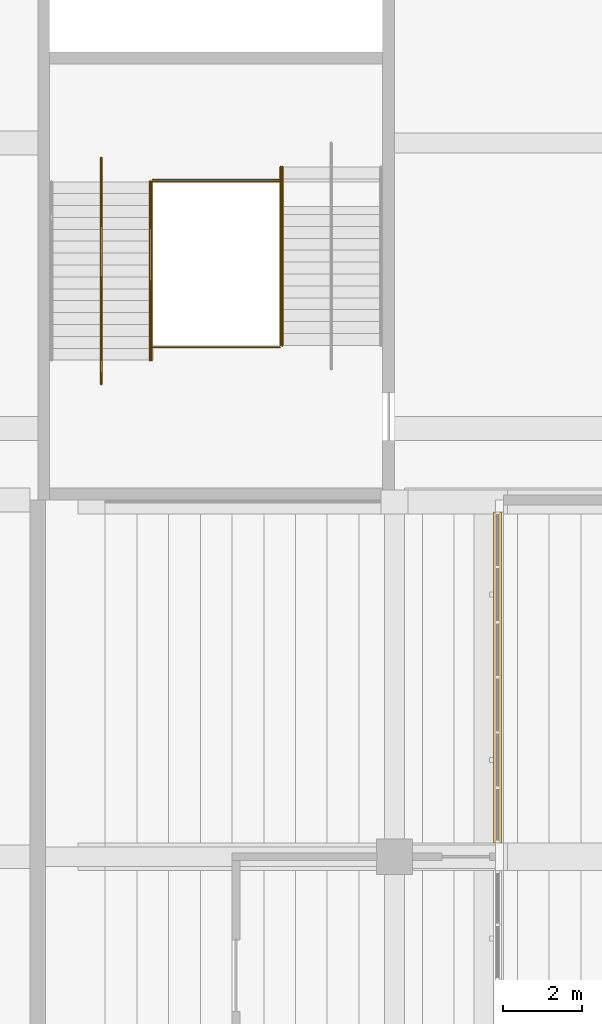
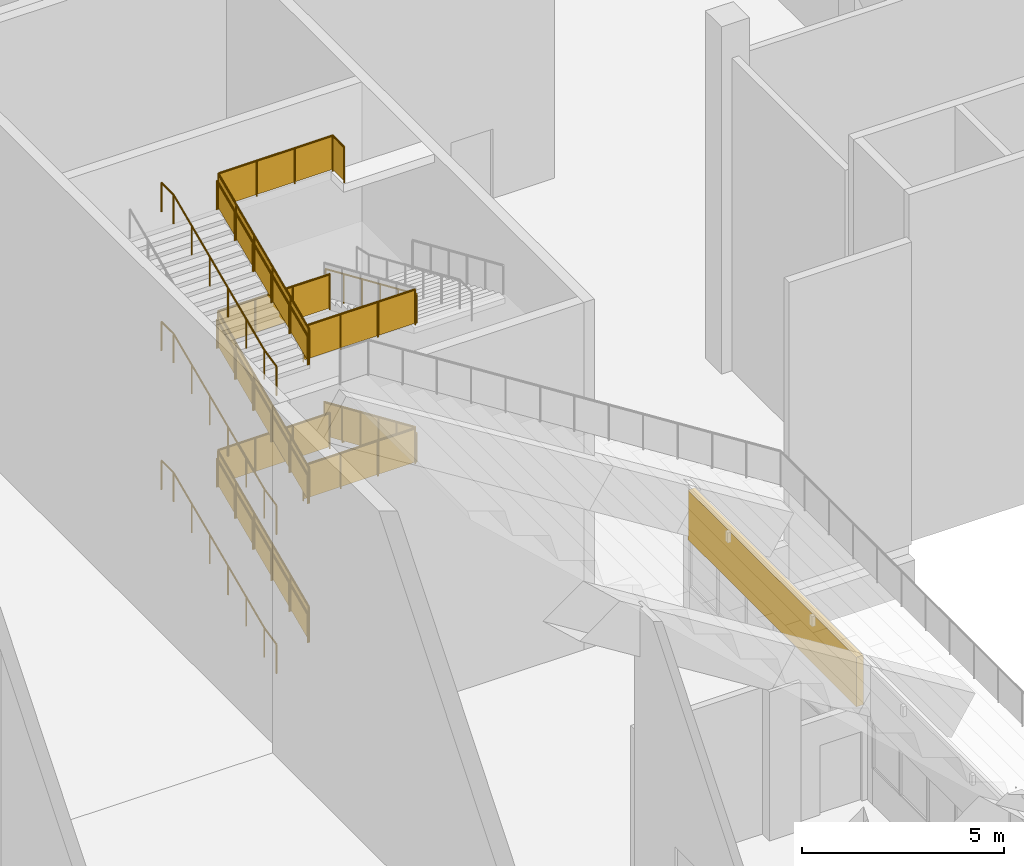
# One storey, part 152 of 182: 17 railings, 1 covering.
"""IFC4 building model written with IfcOpenShell, lengths in metres."""

from ifc_helpers import new_model, si_unit, direction, frame, origin, origin_2d, place, context, subcontext, project, spatial, polyline, circle, outline, extrude, material, layer, layer_set, type_object, element, save


model = new_model("IFC4")

# Units and contexts
model_context = context("Model", 3, precision=1e-05, world=origin(), true_north=direction((0.0, 1.0)))
body_context = subcontext(model_context, "Body", "Model", "MODEL_VIEW")
ifc_project = project(units=[si_unit("LENGTHUNIT", "METRE"), si_unit("AREAUNIT", "SQUARE_METRE"), si_unit("VOLUMEUNIT", "CUBIC_METRE"), si_unit("PLANEANGLEUNIT", "RADIAN"), si_unit("MASSUNIT", "GRAM", prefix="KILO")], contexts=[model_context])

# Site, building, storey
site_placement = place(None, origin())
site = spatial("IfcSite", under=ifc_project, at=site_placement, CompositionType="ELEMENT")
building_placement = place(site_placement, origin())
building = spatial("IfcBuilding", under=site, at=building_placement, Name="Silverbay Arena", CompositionType="ELEMENT")
storey_placement = place(building_placement, frame((0.0, 0.0, 11.5)))
storey = spatial("IfcBuildingStorey", under=building, at=storey_placement, Name="L02", CompositionType="ELEMENT", Elevation=11.5)

# Railings
ifc_material_1 = material(Name="Stainless steel", Category="steel")
railing_type_1 = type_object("IfcRailingType", Name="Stair guard 1100", PredefinedType="GUARDRAIL", material=ifc_material_1)
railing_1_placement = place(storey_placement, frame((74.875, 102.52587890625, 0.13134765625)))
element("IfcRailing", 1, at=railing_1_placement, inside=storey, type_object=railing_type_1, Name="Stair ST-NW2 L02 to L03 flight 1 guard left", PredefinedType="GUARDRAIL", context=body_context, shape_type="SweptSolid", body=[
    extrude(circle(Radius=0.02392578125, at=origin_2d()), frame((0.0, 0.0, 1.076171875), z_axis=(0.0, 0.916157334902, 0.40081883402), x_axis=(-1.0, 0.0, 0.0)), (0.0, 0.0, 1.0), 4.911865234375),
    extrude(outline(polyline([(-0.008056640625, 0.04638671875), (0.907958984375, 0.447265625), (0.907958984375, 1.4501953125), (-0.008056640625, 1.049560546875), (-0.008056640625, 0.04638671875)])), frame((-0.0029296875, 0.0, 0.0), z_axis=(1.0, 0.0, 0.0), x_axis=(0.0, 1.0, 0.0)), (0.0, 0.0, 1.0), 0.006103515625),
    extrude(outline(polyline([(-0.008056640625, 0.440185546875), (0.907958984375, 0.841064453125), (0.907958984375, 1.843994140625), (-0.008056640625, 1.443359375), (-0.008056640625, 0.440185546875)])), frame((-0.0029296875, 0.89990234375, 0.0), z_axis=(1.0, 0.0, 0.0), x_axis=(0.0, 1.0, 0.0)), (0.0, 0.0, 1.0), 0.006103515625),
    extrude(outline(polyline([(-0.008056640625, 0.833984375), (0.907958984375, 1.23486328125), (0.907958984375, 2.23779296875), (-0.008056640625, 1.8369140625), (-0.008056640625, 0.833984375)])), frame((-0.0029296875, 1.800048828125, 0.0), z_axis=(1.0, 0.0, 0.0), x_axis=(0.0, 1.0, 0.0)), (0.0, 0.0, 1.0), 0.006103515625),
    extrude(outline(polyline([(-0.008056640625, 1.227783203125), (0.907958984375, 1.62841796875), (0.907958984375, 2.631591796875), (-0.008056640625, 2.230712890625), (-0.008056640625, 1.227783203125)])), frame((-0.0029296875, 2.699951171875, 0.0), z_axis=(1.0, 0.0, 0.0), x_axis=(0.0, 1.0, 0.0)), (0.0, 0.0, 1.0), 0.006103515625),
    extrude(outline(polyline([(-0.008056640625, 1.62158203125), (0.907958984375, 2.022216796875), (0.907958984375, 3.025146484375), (-0.008056640625, 2.62451171875), (-0.008056640625, 1.62158203125)])), frame((-0.0029296875, 3.60009765625, 0.0), z_axis=(1.0, 0.0, 0.0), x_axis=(0.0, 1.0, 0.0)), (0.0, 0.0, 1.0), 0.006103515625),
    extrude(circle(Radius=0.02099609375, at=origin_2d()), origin(), (0.0, 0.0, 1.0), 1.052001953125),
    extrude(circle(Radius=0.02099609375, at=origin_2d()), frame((0.0, 0.89990234375, 0.393798828125)), (0.0, 0.0, 1.0), 1.052001953125),
    extrude(circle(Radius=0.02099609375, at=origin_2d()), frame((0.0, 1.800048828125, 0.78759765625)), (0.0, 0.0, 1.0), 1.052001953125),
    extrude(circle(Radius=0.02099609375, at=origin_2d()), frame((0.0, 2.699951171875, 1.18115234375)), (0.0, 0.0, 1.0), 1.052001953125),
    extrude(circle(Radius=0.02099609375, at=origin_2d()), frame((0.0, 3.60009765625, 1.574951171875)), (0.0, 0.0, 1.0), 1.052001953125),
    extrude(circle(Radius=0.02099609375, at=origin_2d()), frame((0.0, 4.5, 1.96875)), (0.0, 0.0, 1.0), 1.052001953125),
])
railing_2_placement = place(storey_placement, frame((78.125, 107.39990234375, 2.231201171875)))
element("IfcRailing", 2, at=railing_2_placement, inside=storey, type_object=railing_type_1, Name="Stair ST-NW2 L02 to L03 flight 2 guard right", PredefinedType="GUARDRAIL", context=body_context, shape_type="SweptSolid", body=[
    extrude(circle(Radius=0.02392578125, at=origin_2d()), frame((0.0, 0.0, 1.076171875), z_axis=(0.0, -0.916157334902, 0.40081883402), x_axis=(1.0, 0.0, 0.0)), (0.0, 0.0, 1.0), 4.911865234375),
    extrude(outline(polyline([(-0.008056640625, 0.04638671875), (0.907958984375, 0.447265625), (0.907958984375, 1.4501953125), (-0.008056640625, 1.049560546875), (-0.008056640625, 0.04638671875)])), frame((0.0029296875, 0.0, 0.0), z_axis=(-1.0, 0.0, 0.0), x_axis=(0.0, -1.0, 0.0)), (0.0, 0.0, 1.0), 0.006103515625),
    extrude(outline(polyline([(-0.008056640625, 0.440185546875), (0.907958984375, 0.841064453125), (0.907958984375, 1.843994140625), (-0.008056640625, 1.443359375), (-0.008056640625, 0.440185546875)])), frame((0.0029296875, -0.89990234375, 0.0), z_axis=(-1.0, 0.0, 0.0), x_axis=(0.0, -1.0, 0.0)), (0.0, 0.0, 1.0), 0.006103515625),
    extrude(outline(polyline([(-0.008056640625, 0.833984375), (0.907958984375, 1.23486328125), (0.907958984375, 2.23779296875), (-0.008056640625, 1.8369140625), (-0.008056640625, 0.833984375)])), frame((0.0029296875, -1.800048828125, 0.0), z_axis=(-1.0, 0.0, 0.0), x_axis=(0.0, -1.0, 0.0)), (0.0, 0.0, 1.0), 0.006103515625),
    extrude(outline(polyline([(-0.008056640625, 1.227783203125), (0.907958984375, 1.62841796875), (0.907958984375, 2.631591796875), (-0.008056640625, 2.230712890625), (-0.008056640625, 1.227783203125)])), frame((0.0029296875, -2.699951171875, 0.0), z_axis=(-1.0, 0.0, 0.0), x_axis=(0.0, -1.0, 0.0)), (0.0, 0.0, 1.0), 0.006103515625),
    extrude(outline(polyline([(-0.008056640625, 1.62158203125), (0.907958984375, 2.022216796875), (0.907958984375, 3.025146484375), (-0.008056640625, 2.62451171875), (-0.008056640625, 1.62158203125)])), frame((0.0029296875, -3.60009765625, 0.0), z_axis=(-1.0, 0.0, 0.0), x_axis=(0.0, -1.0, 0.0)), (0.0, 0.0, 1.0), 0.006103515625),
    extrude(circle(Radius=0.02099609375, at=origin_2d()), origin(), (0.0, 0.0, 1.0), 1.052001953125),
    extrude(circle(Radius=0.02099609375, at=origin_2d()), frame((0.0, -0.89990234375, 0.393798828125)), (0.0, 0.0, 1.0), 1.052001953125),
    extrude(circle(Radius=0.02099609375, at=origin_2d()), frame((0.0, -1.800048828125, 0.78759765625)), (0.0, 0.0, 1.0), 1.052001953125),
    extrude(circle(Radius=0.02099609375, at=origin_2d()), frame((0.0, -2.699951171875, 1.18115234375)), (0.0, 0.0, 1.0), 1.052001953125),
    extrude(circle(Radius=0.02099609375, at=origin_2d()), frame((0.0, -3.60009765625, 1.574951171875)), (0.0, 0.0, 1.0), 1.052001953125),
    extrude(circle(Radius=0.02099609375, at=origin_2d()), frame((0.0, -4.5, 1.96875)), (0.0, 0.0, 1.0), 1.052001953125),
])
railing_3_placement = place(storey_placement, frame((74.875, 102.52587890625, 4.331298828125)))
element("IfcRailing", 3, at=railing_3_placement, inside=storey, type_object=railing_type_1, Name="Stair ST-NW2 L02 to L03 flight 3 guard left", PredefinedType="GUARDRAIL", context=body_context, shape_type="SweptSolid", body=[
    extrude(circle(Radius=0.02392578125, at=origin_2d()), frame((0.0, 0.0, 1.076171875), z_axis=(0.0, 0.916157334902, 0.40081883402), x_axis=(-1.0, 0.0, 0.0)), (0.0, 0.0, 1.0), 4.911865234375),
    extrude(outline(polyline([(-0.008056640625, 0.04638671875), (0.907958984375, 0.447265625), (0.907958984375, 1.4501953125), (-0.008056640625, 1.049560546875), (-0.008056640625, 0.04638671875)])), frame((-0.0029296875, 0.0, 0.0), z_axis=(1.0, 0.0, 0.0), x_axis=(0.0, 1.0, 0.0)), (0.0, 0.0, 1.0), 0.006103515625),
    extrude(outline(polyline([(-0.008056640625, 0.440185546875), (0.907958984375, 0.841064453125), (0.907958984375, 1.843994140625), (-0.008056640625, 1.443359375), (-0.008056640625, 0.440185546875)])), frame((-0.0029296875, 0.89990234375, 0.0), z_axis=(1.0, 0.0, 0.0), x_axis=(0.0, 1.0, 0.0)), (0.0, 0.0, 1.0), 0.006103515625),
    extrude(outline(polyline([(-0.008056640625, 0.833984375), (0.907958984375, 1.23486328125), (0.907958984375, 2.23779296875), (-0.008056640625, 1.8369140625), (-0.008056640625, 0.833984375)])), frame((-0.0029296875, 1.800048828125, 0.0), z_axis=(1.0, 0.0, 0.0), x_axis=(0.0, 1.0, 0.0)), (0.0, 0.0, 1.0), 0.006103515625),
    extrude(outline(polyline([(-0.008056640625, 1.227783203125), (0.907958984375, 1.62841796875), (0.907958984375, 2.631591796875), (-0.008056640625, 2.230712890625), (-0.008056640625, 1.227783203125)])), frame((-0.0029296875, 2.699951171875, 0.0), z_axis=(1.0, 0.0, 0.0), x_axis=(0.0, 1.0, 0.0)), (0.0, 0.0, 1.0), 0.006103515625),
    extrude(outline(polyline([(-0.008056640625, 1.62158203125), (0.907958984375, 2.022216796875), (0.907958984375, 3.025146484375), (-0.008056640625, 2.62451171875), (-0.008056640625, 1.62158203125)])), frame((-0.0029296875, 3.60009765625, 0.0), z_axis=(1.0, 0.0, 0.0), x_axis=(0.0, 1.0, 0.0)), (0.0, 0.0, 1.0), 0.006103515625),
    extrude(circle(Radius=0.02099609375, at=origin_2d()), origin(), (0.0, 0.0, 1.0), 1.052001953125),
    extrude(circle(Radius=0.02099609375, at=origin_2d()), frame((0.0, 0.89990234375, 0.393798828125)), (0.0, 0.0, 1.0), 1.052001953125),
    extrude(circle(Radius=0.02099609375, at=origin_2d()), frame((0.0, 1.800048828125, 0.78759765625)), (0.0, 0.0, 1.0), 1.052001953125),
    extrude(circle(Radius=0.02099609375, at=origin_2d()), frame((0.0, 2.699951171875, 1.18115234375)), (0.0, 0.0, 1.0), 1.052001953125),
    extrude(circle(Radius=0.02099609375, at=origin_2d()), frame((0.0, 3.60009765625, 1.574951171875)), (0.0, 0.0, 1.0), 1.052001953125),
    extrude(circle(Radius=0.02099609375, at=origin_2d()), frame((0.0, 4.5, 1.96875)), (0.0, 0.0, 1.0), 1.052001953125),
])
railing_4_placement = place(storey_placement, frame((74.875, 102.52587890625, 8.53125)))
element("IfcRailing", 4, at=railing_4_placement, inside=storey, type_object=railing_type_1, Name="Stair ST-NW2 L02 to L03 flight 5 guard left", PredefinedType="GUARDRAIL", context=body_context, shape_type="SweptSolid", body=[
    extrude(circle(Radius=0.02392578125, at=origin_2d()), frame((0.0, 0.0, 1.076171875), z_axis=(0.0, 0.916157334902, 0.40081883402), x_axis=(-1.0, 0.0, 0.0)), (0.0, 0.0, 1.0), 4.911865234375),
    extrude(outline(polyline([(-0.008056640625, 0.04638671875), (0.907958984375, 0.447265625), (0.907958984375, 1.4501953125), (-0.008056640625, 1.049560546875), (-0.008056640625, 0.04638671875)])), frame((-0.0029296875, 0.0, 0.0), z_axis=(1.0, 0.0, 0.0), x_axis=(0.0, 1.0, 0.0)), (0.0, 0.0, 1.0), 0.006103515625),
    extrude(outline(polyline([(-0.008056640625, 0.440185546875), (0.907958984375, 0.841064453125), (0.907958984375, 1.843994140625), (-0.008056640625, 1.443359375), (-0.008056640625, 0.440185546875)])), frame((-0.0029296875, 0.89990234375, 0.0), z_axis=(1.0, 0.0, 0.0), x_axis=(0.0, 1.0, 0.0)), (0.0, 0.0, 1.0), 0.006103515625),
    extrude(outline(polyline([(-0.008056640625, 0.833984375), (0.907958984375, 1.23486328125), (0.907958984375, 2.23779296875), (-0.008056640625, 1.8369140625), (-0.008056640625, 0.833984375)])), frame((-0.0029296875, 1.800048828125, 0.0), z_axis=(1.0, 0.0, 0.0), x_axis=(0.0, 1.0, 0.0)), (0.0, 0.0, 1.0), 0.006103515625),
    extrude(outline(polyline([(-0.008056640625, 1.227783203125), (0.907958984375, 1.62841796875), (0.907958984375, 2.631591796875), (-0.008056640625, 2.230712890625), (-0.008056640625, 1.227783203125)])), frame((-0.0029296875, 2.699951171875, 0.0), z_axis=(1.0, 0.0, 0.0), x_axis=(0.0, 1.0, 0.0)), (0.0, 0.0, 1.0), 0.006103515625),
    extrude(outline(polyline([(-0.008056640625, 1.62158203125), (0.907958984375, 2.022216796875), (0.907958984375, 3.025146484375), (-0.008056640625, 2.62451171875), (-0.008056640625, 1.62158203125)])), frame((-0.0029296875, 3.60009765625, 0.0), z_axis=(1.0, 0.0, 0.0), x_axis=(0.0, 1.0, 0.0)), (0.0, 0.0, 1.0), 0.006103515625),
    extrude(circle(Radius=0.02099609375, at=origin_2d()), origin(), (0.0, 0.0, 1.0), 1.052001953125),
    extrude(circle(Radius=0.02099609375, at=origin_2d()), frame((0.0, 0.89990234375, 0.393798828125)), (0.0, 0.0, 1.0), 1.052001953125),
    extrude(circle(Radius=0.02099609375, at=origin_2d()), frame((0.0, 1.800048828125, 0.78759765625)), (0.0, 0.0, 1.0), 1.052001953125),
    extrude(circle(Radius=0.02099609375, at=origin_2d()), frame((0.0, 2.699951171875, 1.18115234375)), (0.0, 0.0, 1.0), 1.052001953125),
    extrude(circle(Radius=0.02099609375, at=origin_2d()), frame((0.0, 3.60009765625, 1.574951171875)), (0.0, 0.0, 1.0), 1.052001953125),
    extrude(circle(Radius=0.02099609375, at=origin_2d()), frame((0.0, 4.5, 1.96875)), (0.0, 0.0, 1.0), 1.052001953125),
])
for number, where, name in (
    (5, (78.10009765625, 107.07568359375, 2.10009765625), "Stair ST-NW2 L02 to L03 landing 1 guard"),
    (6, (78.10009765625, 102.85009765625, 4.199951171875), "Stair ST-NW2 L02 to L03 landing 2 guard"),
    (7, (78.10009765625, 107.07568359375, 6.300048828125), "Stair ST-NW2 L02 to L03 landing 3 guard"),
    (8, (78.10009765625, 102.85009765625, 8.39990234375), "Stair ST-NW2 L02 to L03 landing 4 guard"),
):
    element("IfcRailing", number, at=place(storey_placement, frame(where)), inside=storey, type_object=railing_type_1, Name=name, PredefinedType="GUARDRAIL", context=body_context, shape_type="SweptSolid", body=[
        extrude(circle(Radius=0.02392578125, at=origin_2d()), frame((0.0, 0.0, 1.076171875), z_axis=(-1.0, 0.0, 0.0), x_axis=(0.0, -1.0, 0.0)), (0.0, 0.0, 1.0), 3.2001953125),
        extrude(outline(polyline([(-0.008056640625, 0.050048828125), (1.07470703125, 0.050048828125), (1.07470703125, 1.052978515625), (-0.008056640625, 1.052978515625), (-0.008056640625, 0.050048828125)])), frame((0.0, -0.0029296875, 0.0), z_axis=(0.0, 1.0, 0.0), x_axis=(-1.0, 0.0, 0.0)), (0.0, 0.0, 1.0), 0.006103515625),
        extrude(outline(polyline([(-0.008056640625, 0.050048828125), (1.07470703125, 0.050048828125), (1.07470703125, 1.052978515625), (-0.008056640625, 1.052978515625), (-0.008056640625, 0.050048828125)])), frame((-1.066650390625, -0.0029296875, 0.0), z_axis=(0.0, 1.0, 0.0), x_axis=(-1.0, 0.0, 0.0)), (0.0, 0.0, 1.0), 0.006103515625),
        extrude(outline(polyline([(-0.008056640625, 0.050048828125), (1.07470703125, 0.050048828125), (1.07470703125, 1.052978515625), (-0.008056640625, 1.052978515625), (-0.008056640625, 0.050048828125)])), frame((-2.133544921875, -0.0029296875, 0.0), z_axis=(0.0, 1.0, 0.0), x_axis=(-1.0, 0.0, 0.0)), (0.0, 0.0, 1.0), 0.006103515625),
        extrude(circle(Radius=0.02099609375, at=origin_2d()), origin(), (0.0, 0.0, 1.0), 1.052001953125),
        extrude(circle(Radius=0.02099609375, at=origin_2d()), frame((-1.066650390625, 0.0, 0.0)), (0.0, 0.0, 1.0), 1.052001953125),
        extrude(circle(Radius=0.02099609375, at=origin_2d()), frame((-2.133544921875, 0.0, 0.0)), (0.0, 0.0, 1.0), 1.052001953125),
        extrude(circle(Radius=0.02099609375, at=origin_2d()), frame((-3.2001953125, 0.0, 0.0)), (0.0, 0.0, 1.0), 1.052001953125),
    ])
railing_5_placement = place(storey_placement, frame((78.14990234375, 106.449951171875, 10.5)))
element("IfcRailing", 9, at=railing_5_placement, inside=storey, type_object=railing_type_1, Name="Stair ST-NW2 L02 to L03 landing 5 guard", PredefinedType="GUARDRAIL", context=body_context, shape_type="SweptSolid", body=[
    extrude(circle(Radius=0.02392578125, at=origin_2d()), frame((0.0, 0.0, 1.076171875), z_axis=(0.0, 1.0, 0.0), x_axis=(-1.0, 0.0, 0.0)), (0.0, 0.0, 1.0), 0.575927734375),
    extrude(outline(polyline([(-0.008056640625, 0.050048828125), (0.583984375, 0.050048828125), (0.583984375, 1.052978515625), (-0.008056640625, 1.052978515625), (-0.008056640625, 0.050048828125)])), frame((-0.0029296875, 0.0, 0.0), z_axis=(1.0, 0.0, 0.0), x_axis=(0.0, 1.0, 0.0)), (0.0, 0.0, 1.0), 0.006103515625),
    extrude(circle(Radius=0.02392578125, at=origin_2d()), frame((0.0, 0.575927734375, 1.076171875), z_axis=(-1.0, 0.0, 0.0), x_axis=(0.0, -1.0, 0.0)), (0.0, 0.0, 1.0), 3.25),
    extrude(outline(polyline([(-0.008056640625, 0.050048828125), (1.09130859375, 0.050048828125), (1.09130859375, 1.052978515625), (-0.008056640625, 1.052978515625), (-0.008056640625, 0.050048828125)])), frame((0.0, 0.572998046875, 0.0), z_axis=(0.0, 1.0, 0.0), x_axis=(-1.0, 0.0, 0.0)), (0.0, 0.0, 1.0), 0.006103515625),
    extrude(outline(polyline([(-0.008056640625, 0.050048828125), (1.09130859375, 0.050048828125), (1.09130859375, 1.052978515625), (-0.008056640625, 1.052978515625), (-0.008056640625, 0.050048828125)])), frame((-1.083251953125, 0.572998046875, 0.0), z_axis=(0.0, 1.0, 0.0), x_axis=(-1.0, 0.0, 0.0)), (0.0, 0.0, 1.0), 0.006103515625),
    extrude(outline(polyline([(-0.008056640625, 0.050048828125), (1.09130859375, 0.050048828125), (1.09130859375, 1.052978515625), (-0.008056640625, 1.052978515625), (-0.008056640625, 0.050048828125)])), frame((-2.166748046875, 0.572998046875, 0.0), z_axis=(0.0, 1.0, 0.0), x_axis=(-1.0, 0.0, 0.0)), (0.0, 0.0, 1.0), 0.006103515625),
    extrude(circle(Radius=0.02099609375, at=origin_2d()), origin(), (0.0, 0.0, 1.0), 1.052001953125),
    extrude(circle(Radius=0.02099609375, at=origin_2d()), frame((0.0, 0.575927734375, 0.0)), (0.0, 0.0, 1.0), 1.052001953125),
    extrude(circle(Radius=0.02099609375, at=origin_2d()), frame((-1.083251953125, 0.575927734375, 0.0)), (0.0, 0.0, 1.0), 1.052001953125),
    extrude(circle(Radius=0.02099609375, at=origin_2d()), frame((-2.166748046875, 0.575927734375, 0.0)), (0.0, 0.0, 1.0), 1.052001953125),
    extrude(circle(Radius=0.02099609375, at=origin_2d()), frame((-3.25, 0.575927734375, 0.0)), (0.0, 0.0, 1.0), 1.052001953125),
])
ifc_material_2 = material(Name="Stainless steel", Category="steel")
railing_type_2 = type_object("IfcRailingType", Name="Stair handrail 900", PredefinedType="HANDRAIL", material=ifc_material_2)
railing_6_placement = place(storey_placement, frame((74.8359375, 102.52587890625, 0.13134765625)))
element("IfcRailing", 10, at=railing_6_placement, inside=storey, type_object=railing_type_2, Name="Stair ST-NW2 L02 to L03 flight 1 handrail left", PredefinedType="HANDRAIL", context=body_context, shape_type="SweptSolid", body=[
    extrude(circle(Radius=0.02392578125, at=origin_2d()), frame((0.0, 0.0, 0.8759765625), z_axis=(0.0, 0.916157334902, 0.40081883402), x_axis=(-1.0, 0.0, 0.0)), (0.0, 0.0, 1.0), 4.911865234375),
    extrude(circle(Radius=0.02099609375, at=origin_2d()), origin(), (0.0, 0.0, 1.0), 0.851806640625),
    extrude(circle(Radius=0.02099609375, at=origin_2d()), frame((0.0, 0.89990234375, 0.393798828125)), (0.0, 0.0, 1.0), 0.851806640625),
    extrude(circle(Radius=0.02099609375, at=origin_2d()), frame((0.0, 1.800048828125, 0.78759765625)), (0.0, 0.0, 1.0), 0.851806640625),
    extrude(circle(Radius=0.02099609375, at=origin_2d()), frame((0.0, 2.699951171875, 1.18115234375)), (0.0, 0.0, 1.0), 0.851806640625),
    extrude(circle(Radius=0.02099609375, at=origin_2d()), frame((0.0, 3.60009765625, 1.574951171875)), (0.0, 0.0, 1.0), 0.851806640625),
    extrude(circle(Radius=0.02099609375, at=origin_2d()), frame((0.0, 4.5, 1.96875)), (0.0, 0.0, 1.0), 0.851806640625),
])
railing_7_placement = place(storey_placement, frame((73.60009765625, 101.92578125, 0.0)))
element("IfcRailing", 11, at=railing_7_placement, inside=storey, type_object=railing_type_2, Name="Stair ST-NW2 L02 to L03 flight 1 central handrail", PredefinedType="HANDRAIL", context=body_context, shape_type="SweptSolid", body=[
    extrude(circle(Radius=0.02392578125, at=origin_2d()), frame((0.0, 0.0, 0.8759765625), z_axis=(0.0, 0.976874083041, 0.213815401414), x_axis=(-1.0, 0.0, 0.0)), (0.0, 0.0, 1.0), 0.6142578125),
    extrude(circle(Radius=0.02392578125, at=origin_2d()), frame((0.0, 0.60009765625, 1.00732421875), z_axis=(0.0, 0.916157334902, 0.40081883402), x_axis=(-1.0, 0.0, 0.0)), (0.0, 0.0, 1.0), 4.911865234375),
    extrude(circle(Radius=0.02392578125, at=origin_2d()), frame((0.0, 5.10009765625, 2.97607421875), z_axis=(0.0, 1.0, 0.0), x_axis=(-1.0, 0.0, 0.0)), (0.0, 0.0, 1.0), 0.599853515625),
    extrude(circle(Radius=0.02099609375, at=origin_2d()), origin(), (0.0, 0.0, 1.0), 0.851806640625),
    extrude(circle(Radius=0.02099609375, at=origin_2d()), frame((0.0, 0.60009765625, 0.13134765625)), (0.0, 0.0, 1.0), 0.851806640625),
    extrude(circle(Radius=0.02099609375, at=origin_2d()), frame((0.0, 1.5, 0.525146484375)), (0.0, 0.0, 1.0), 0.851806640625),
    extrude(circle(Radius=0.02099609375, at=origin_2d()), frame((0.0, 2.400146484375, 0.9189453125)), (0.0, 0.0, 1.0), 0.851806640625),
    extrude(circle(Radius=0.02099609375, at=origin_2d()), frame((0.0, 3.300048828125, 1.3125)), (0.0, 0.0, 1.0), 0.851806640625),
    extrude(circle(Radius=0.02099609375, at=origin_2d()), frame((0.0, 4.2001953125, 1.706298828125)), (0.0, 0.0, 1.0), 0.851806640625),
    extrude(circle(Radius=0.02099609375, at=origin_2d()), frame((0.0, 5.10009765625, 2.10009765625)), (0.0, 0.0, 1.0), 0.851806640625),
    extrude(circle(Radius=0.02099609375, at=origin_2d()), frame((0.0, 5.699951171875, 2.10009765625)), (0.0, 0.0, 1.0), 0.851806640625),
])
railing_8_placement = place(storey_placement, frame((78.1640625, 107.39990234375, 2.231201171875)))
element("IfcRailing", 12, at=railing_8_placement, inside=storey, type_object=railing_type_2, Name="Stair ST-NW2 L02 to L03 flight 2 handrail right", PredefinedType="HANDRAIL", context=body_context, shape_type="SweptSolid", body=[
    extrude(circle(Radius=0.02392578125, at=origin_2d()), frame((0.0, 0.0, 0.8759765625), z_axis=(0.0, -0.916157334902, 0.40081883402), x_axis=(1.0, 0.0, 0.0)), (0.0, 0.0, 1.0), 4.911865234375),
    extrude(circle(Radius=0.02099609375, at=origin_2d()), origin(), (0.0, 0.0, 1.0), 0.851806640625),
    extrude(circle(Radius=0.02099609375, at=origin_2d()), frame((0.0, -0.89990234375, 0.393798828125)), (0.0, 0.0, 1.0), 0.851806640625),
    extrude(circle(Radius=0.02099609375, at=origin_2d()), frame((0.0, -1.800048828125, 0.78759765625)), (0.0, 0.0, 1.0), 0.851806640625),
    extrude(circle(Radius=0.02099609375, at=origin_2d()), frame((0.0, -2.699951171875, 1.18115234375)), (0.0, 0.0, 1.0), 0.851806640625),
    extrude(circle(Radius=0.02099609375, at=origin_2d()), frame((0.0, -3.60009765625, 1.574951171875)), (0.0, 0.0, 1.0), 0.851806640625),
    extrude(circle(Radius=0.02099609375, at=origin_2d()), frame((0.0, -4.5, 1.96875)), (0.0, 0.0, 1.0), 0.851806640625),
])
railing_9_placement = place(storey_placement, frame((74.8359375, 102.52587890625, 4.331298828125)))
element("IfcRailing", 13, at=railing_9_placement, inside=storey, type_object=railing_type_2, Name="Stair ST-NW2 L02 to L03 flight 3 handrail left", PredefinedType="HANDRAIL", context=body_context, shape_type="SweptSolid", body=[
    extrude(circle(Radius=0.02392578125, at=origin_2d()), frame((0.0, 0.0, 0.8759765625), z_axis=(0.0, 0.916157334902, 0.40081883402), x_axis=(-1.0, 0.0, 0.0)), (0.0, 0.0, 1.0), 4.911865234375),
    extrude(circle(Radius=0.02099609375, at=origin_2d()), origin(), (0.0, 0.0, 1.0), 0.851806640625),
    extrude(circle(Radius=0.02099609375, at=origin_2d()), frame((0.0, 0.89990234375, 0.393798828125)), (0.0, 0.0, 1.0), 0.851806640625),
    extrude(circle(Radius=0.02099609375, at=origin_2d()), frame((0.0, 1.800048828125, 0.78759765625)), (0.0, 0.0, 1.0), 0.851806640625),
    extrude(circle(Radius=0.02099609375, at=origin_2d()), frame((0.0, 2.699951171875, 1.18115234375)), (0.0, 0.0, 1.0), 0.851806640625),
    extrude(circle(Radius=0.02099609375, at=origin_2d()), frame((0.0, 3.60009765625, 1.574951171875)), (0.0, 0.0, 1.0), 0.851806640625),
    extrude(circle(Radius=0.02099609375, at=origin_2d()), frame((0.0, 4.5, 1.96875)), (0.0, 0.0, 1.0), 0.851806640625),
])
railing_10_placement = place(storey_placement, frame((73.60009765625, 101.92578125, 4.199951171875)))
element("IfcRailing", 14, at=railing_10_placement, inside=storey, type_object=railing_type_2, Name="Stair ST-NW2 L02 to L03 flight 3 central handrail", PredefinedType="HANDRAIL", context=body_context, shape_type="SweptSolid", body=[
    extrude(circle(Radius=0.02392578125, at=origin_2d()), frame((0.0, 0.0, 0.8759765625), z_axis=(0.0, 0.976874083041, 0.213815401414), x_axis=(-1.0, 0.0, 0.0)), (0.0, 0.0, 1.0), 0.6142578125),
    extrude(circle(Radius=0.02392578125, at=origin_2d()), frame((0.0, 0.60009765625, 1.00732421875), z_axis=(0.0, 0.916157334902, 0.40081883402), x_axis=(-1.0, 0.0, 0.0)), (0.0, 0.0, 1.0), 4.911865234375),
    extrude(circle(Radius=0.02392578125, at=origin_2d()), frame((0.0, 5.10009765625, 2.97607421875), z_axis=(0.0, 1.0, 0.0), x_axis=(-1.0, 0.0, 0.0)), (0.0, 0.0, 1.0), 0.599853515625),
    extrude(circle(Radius=0.02099609375, at=origin_2d()), origin(), (0.0, 0.0, 1.0), 0.851806640625),
    extrude(circle(Radius=0.02099609375, at=origin_2d()), frame((0.0, 0.60009765625, 0.13134765625)), (0.0, 0.0, 1.0), 0.851806640625),
    extrude(circle(Radius=0.02099609375, at=origin_2d()), frame((0.0, 1.5, 0.525146484375)), (0.0, 0.0, 1.0), 0.851806640625),
    extrude(circle(Radius=0.02099609375, at=origin_2d()), frame((0.0, 2.400146484375, 0.9189453125)), (0.0, 0.0, 1.0), 0.851806640625),
    extrude(circle(Radius=0.02099609375, at=origin_2d()), frame((0.0, 3.300048828125, 1.3125)), (0.0, 0.0, 1.0), 0.851806640625),
    extrude(circle(Radius=0.02099609375, at=origin_2d()), frame((0.0, 4.2001953125, 1.706298828125)), (0.0, 0.0, 1.0), 0.851806640625),
    extrude(circle(Radius=0.02099609375, at=origin_2d()), frame((0.0, 5.10009765625, 2.10009765625)), (0.0, 0.0, 1.0), 0.851806640625),
    extrude(circle(Radius=0.02099609375, at=origin_2d()), frame((0.0, 5.699951171875, 2.10009765625)), (0.0, 0.0, 1.0), 0.851806640625),
])
railing_11_placement = place(storey_placement, frame((78.1640625, 107.39990234375, 6.43115234375)))
element("IfcRailing", 15, at=railing_11_placement, inside=storey, type_object=railing_type_2, Name="Stair ST-NW2 L02 to L03 flight 4 handrail right", PredefinedType="HANDRAIL", context=body_context, shape_type="SweptSolid", body=[
    extrude(circle(Radius=0.02392578125, at=origin_2d()), frame((0.0, 0.0, 0.8759765625), z_axis=(0.0, -0.916157334902, 0.40081883402), x_axis=(1.0, 0.0, 0.0)), (0.0, 0.0, 1.0), 4.911865234375),
    extrude(circle(Radius=0.02099609375, at=origin_2d()), origin(), (0.0, 0.0, 1.0), 0.851806640625),
    extrude(circle(Radius=0.02099609375, at=origin_2d()), frame((0.0, -0.89990234375, 0.393798828125)), (0.0, 0.0, 1.0), 0.851806640625),
    extrude(circle(Radius=0.02099609375, at=origin_2d()), frame((0.0, -1.800048828125, 0.78759765625)), (0.0, 0.0, 1.0), 0.851806640625),
    extrude(circle(Radius=0.02099609375, at=origin_2d()), frame((0.0, -2.699951171875, 1.18115234375)), (0.0, 0.0, 1.0), 0.851806640625),
    extrude(circle(Radius=0.02099609375, at=origin_2d()), frame((0.0, -3.60009765625, 1.574951171875)), (0.0, 0.0, 1.0), 0.851806640625),
    extrude(circle(Radius=0.02099609375, at=origin_2d()), frame((0.0, -4.5, 1.96875)), (0.0, 0.0, 1.0), 0.851806640625),
])
railing_12_placement = place(storey_placement, frame((74.8359375, 102.52587890625, 8.53125)))
element("IfcRailing", 16, at=railing_12_placement, inside=storey, type_object=railing_type_2, Name="Stair ST-NW2 L02 to L03 flight 5 handrail left", PredefinedType="HANDRAIL", context=body_context, shape_type="SweptSolid", body=[
    extrude(circle(Radius=0.02392578125, at=origin_2d()), frame((0.0, 0.0, 0.8759765625), z_axis=(0.0, 0.916157334902, 0.40081883402), x_axis=(-1.0, 0.0, 0.0)), (0.0, 0.0, 1.0), 4.911865234375),
    extrude(circle(Radius=0.02099609375, at=origin_2d()), origin(), (0.0, 0.0, 1.0), 0.851806640625),
    extrude(circle(Radius=0.02099609375, at=origin_2d()), frame((0.0, 0.89990234375, 0.393798828125)), (0.0, 0.0, 1.0), 0.851806640625),
    extrude(circle(Radius=0.02099609375, at=origin_2d()), frame((0.0, 1.800048828125, 0.78759765625)), (0.0, 0.0, 1.0), 0.851806640625),
    extrude(circle(Radius=0.02099609375, at=origin_2d()), frame((0.0, 2.699951171875, 1.18115234375)), (0.0, 0.0, 1.0), 0.851806640625),
    extrude(circle(Radius=0.02099609375, at=origin_2d()), frame((0.0, 3.60009765625, 1.574951171875)), (0.0, 0.0, 1.0), 0.851806640625),
    extrude(circle(Radius=0.02099609375, at=origin_2d()), frame((0.0, 4.5, 1.96875)), (0.0, 0.0, 1.0), 0.851806640625),
])
railing_13_placement = place(storey_placement, frame((73.60009765625, 101.92578125, 8.39990234375)))
element("IfcRailing", 17, at=railing_13_placement, inside=storey, type_object=railing_type_2, Name="Stair ST-NW2 L02 to L03 flight 5 central handrail", PredefinedType="HANDRAIL", context=body_context, shape_type="SweptSolid", body=[
    extrude(circle(Radius=0.02392578125, at=origin_2d()), frame((0.0, 0.0, 0.8759765625), z_axis=(0.0, 0.976874083041, 0.213815401414), x_axis=(-1.0, 0.0, 0.0)), (0.0, 0.0, 1.0), 0.6142578125),
    extrude(circle(Radius=0.02392578125, at=origin_2d()), frame((0.0, 0.60009765625, 1.00732421875), z_axis=(0.0, 0.916157334902, 0.40081883402), x_axis=(-1.0, 0.0, 0.0)), (0.0, 0.0, 1.0), 4.911865234375),
    extrude(circle(Radius=0.02392578125, at=origin_2d()), frame((0.0, 5.10009765625, 2.97607421875), z_axis=(0.0, 1.0, 0.0), x_axis=(-1.0, 0.0, 0.0)), (0.0, 0.0, 1.0), 0.599853515625),
    extrude(circle(Radius=0.02099609375, at=origin_2d()), origin(), (0.0, 0.0, 1.0), 0.851806640625),
    extrude(circle(Radius=0.02099609375, at=origin_2d()), frame((0.0, 0.60009765625, 0.13134765625)), (0.0, 0.0, 1.0), 0.851806640625),
    extrude(circle(Radius=0.02099609375, at=origin_2d()), frame((0.0, 1.5, 0.525146484375)), (0.0, 0.0, 1.0), 0.851806640625),
    extrude(circle(Radius=0.02099609375, at=origin_2d()), frame((0.0, 2.400146484375, 0.9189453125)), (0.0, 0.0, 1.0), 0.851806640625),
    extrude(circle(Radius=0.02099609375, at=origin_2d()), frame((0.0, 3.300048828125, 1.3125)), (0.0, 0.0, 1.0), 0.851806640625),
    extrude(circle(Radius=0.02099609375, at=origin_2d()), frame((0.0, 4.2001953125, 1.706298828125)), (0.0, 0.0, 1.0), 0.851806640625),
    extrude(circle(Radius=0.02099609375, at=origin_2d()), frame((0.0, 5.10009765625, 2.10009765625)), (0.0, 0.0, 1.0), 0.851806640625),
    extrude(circle(Radius=0.02099609375, at=origin_2d()), frame((0.0, 5.699951171875, 2.10009765625)), (0.0, 0.0, 1.0), 0.851806640625),
])

# Covering
ifc_material_3 = material(Name="Aluminium composite cladding", Category="aluminium")
ifc_layer = layer(ifc_material_3, 0.199951171875)
ifc_layer_set = layer_set([ifc_layer], Name="Aluminium composite cladding")
covering_type = type_object("IfcCoveringType", Name="Suite front fascia cladding 200", PredefinedType="CLADDING", material=ifc_layer_set)
covering_placement = place(storey_placement, frame((0.0, 0.0, 2.537109375)))
element("IfcCovering", 18, at=covering_placement, inside=storey, type_object=covering_type, Name="West suite front fascia 4", PredefinedType="CLADDING", context=body_context, shape_type="SweptSolid", body=[
    extrude(outline(polyline([(83.5, 90.35009765625), (83.5, 98.699951171875), (83.699951171875, 98.699951171875), (83.699951171875, 90.35009765625), (83.5, 90.35009765625)])), origin(), (0.0, 0.0, 1.0), 1.496826171875),
])

save(model, "model.ifc")
